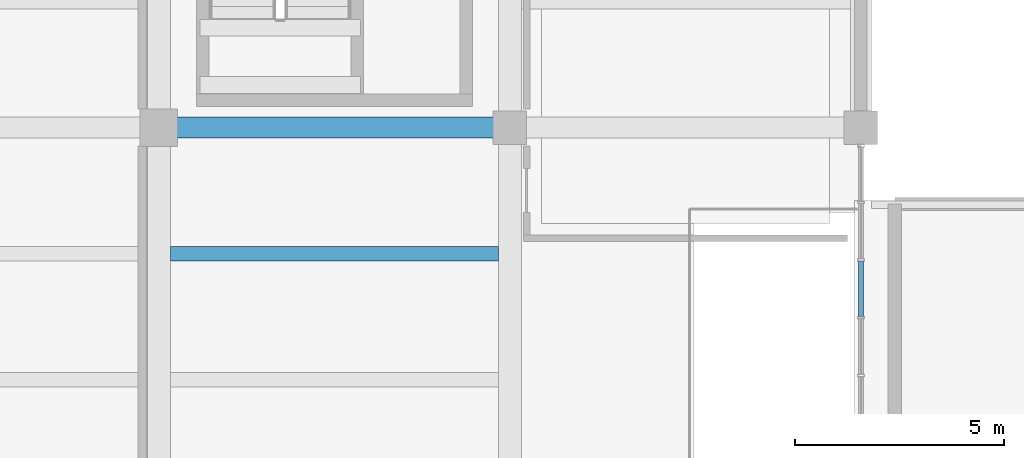
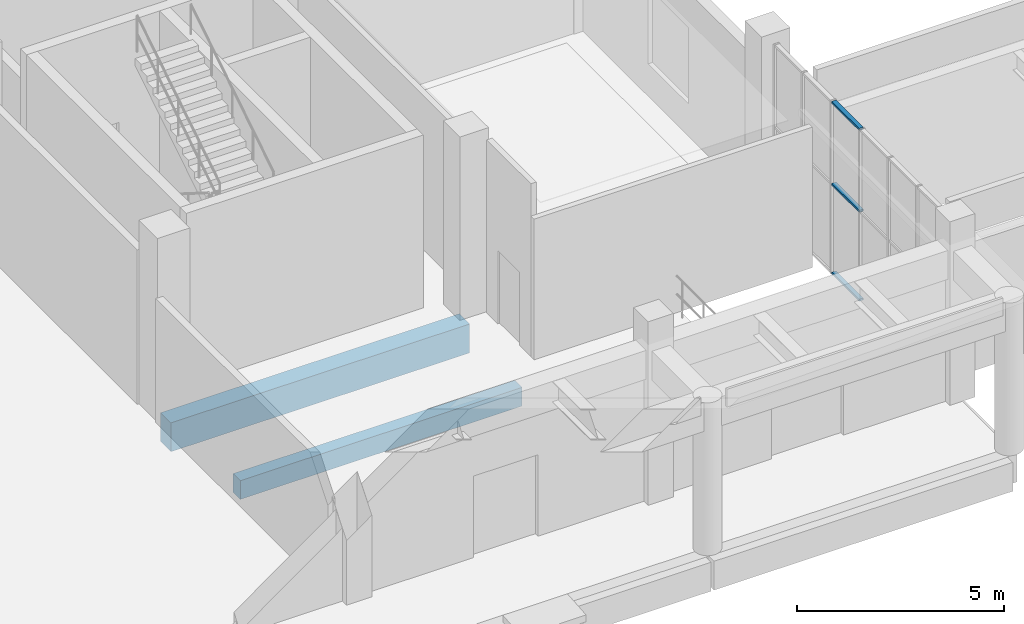
# One storey, part 23 of 91: 3 members, 2 beams, 1 element without a shape of its own.
"""IFC4 building model written with IfcOpenShell, lengths in metres."""

from ifc_helpers import new_model, si_unit, direction, frame, origin, origin_2d, place, context, subcontext, project, spatial, rectangle, hollow_rectangle, extrude, material, material_profile, profile_set, type_object, element, aggregate, save


model = new_model("IFC4")

# Units and contexts
model_context = context("Model", 3, precision=1e-05, world=origin(), true_north=direction((0.0, 1.0)))
body_context = subcontext(model_context, "Body", "Model", "MODEL_VIEW")
ifc_project = project(units=[si_unit("LENGTHUNIT", "METRE"), si_unit("AREAUNIT", "SQUARE_METRE"), si_unit("VOLUMEUNIT", "CUBIC_METRE"), si_unit("PLANEANGLEUNIT", "RADIAN"), si_unit("MASSUNIT", "GRAM", prefix="KILO")], contexts=[model_context])

# Site, building, storey
site_placement = place(None, origin())
site = spatial("IfcSite", under=ifc_project, at=site_placement, CompositionType="ELEMENT")
building_placement = place(site_placement, origin())
building = spatial("IfcBuilding", under=site, at=building_placement, Name="Khurvash Pelagic Aquarium", CompositionType="ELEMENT")
storey_placement = place(building_placement, origin())
storey = spatial("IfcBuildingStorey", under=building, at=storey_placement, Name="L00", CompositionType="ELEMENT", Elevation=0.0)

# Beam
ifc_material_1 = material(Name="Concrete C40/50", Category="concrete")
ifc_material_profile_1 = material_profile(ifc_material_1, rectangle(XDim=0.5, YDim=0.85009765625, at=origin_2d()), Name="RC500X850")
ifc_profile_set_1 = profile_set([ifc_material_profile_1], Name="Concrete C40/50")
beam_type_1 = type_object("IfcBeamType", Name="BM-03", PredefinedType="BEAM", material=ifc_profile_set_1)
beam_1_placement = place(storey_placement, frame((92.43994140625, 11.64990234375, -0.7451171875), z_axis=(1.0, 0.0, 0.0), x_axis=(0.0, 1.0, 0.0)))
element("IfcBeam", 1, at=beam_1_placement, inside=storey, type_object=beam_type_1, Name="L00 Primary Girder BM-03 00019", PredefinedType="BEAM", context=body_context, shape_type="SweptSolid", body=[
    extrude(rectangle(XDim=0.5, YDim=0.85009765625, at=origin_2d()), origin(), (0.0, 0.0, 1.0), 8.320068359375),
])

# Curtain wall, members
ifc_material_2 = material(Name="Anodised aluminium and low-E laminated glass", Category="aluminium")
curtain_wall_type = type_object("IfcCurtainWallType", Name="CW-05", PredefinedType="USERDEFINED", material=ifc_material_2)
curtain_wall_placement = place(storey_placement, origin())
curtain_wall = element("IfcCurtainWall", 2, at=curtain_wall_placement, inside=storey, type_object=curtain_wall_type, Name="L00 Facade Unitised Curtain Wall CW-05 0059", ObjectType="UNITISED CURTAIN WALL", PredefinedType="USERDEFINED")
ifc_material_3 = material(Name="Extruded aluminium AW-6063-T6", Category="aluminium")
ifc_material_profile_2 = material_profile(ifc_material_3, hollow_rectangle(XDim=0.1201171875, YDim=0.06005859375, WallThickness=0.00390625, at=origin_2d()), Name="CWT120X60X4")
ifc_profile_set_2 = profile_set([ifc_material_profile_2], Name="Extruded aluminium AW-6063-T6")
member_type = type_object("IfcMemberType", Name="CT-02", PredefinedType="USERDEFINED", material=ifc_profile_set_2)
member_1_placement = place(storey_placement, frame((109.199951171875, 7.1298828125, 0.030029296875), z_axis=(0.0, 1.0, 0.0), x_axis=(-1.0, 0.0, 0.0)))
member_1 = element("IfcMember", 3, at=member_1_placement, type_object=member_type, Name="CW-05 transom 4.1", ObjectType="TRANSOM", PredefinedType="USERDEFINED", context=body_context, shape_type="SweptSolid", body=[
    extrude(hollow_rectangle(XDim=0.1201171875, YDim=0.06005859375, WallThickness=0.00390625, at=origin_2d()), origin(), (0.0, 0.0, 1.0), 1.32177734375),
])
member_2_placement = place(storey_placement, frame((109.199951171875, 7.1298828125, 2.64697265625), z_axis=(0.0, 1.0, 0.0), x_axis=(-1.0, 0.0, 0.0)))
member_2 = element("IfcMember", 4, at=member_2_placement, type_object=member_type, Name="CW-05 transom 4.2", ObjectType="TRANSOM", PredefinedType="USERDEFINED", context=body_context, shape_type="SweptSolid", body=[
    extrude(hollow_rectangle(XDim=0.1201171875, YDim=0.06005859375, WallThickness=0.00390625, at=origin_2d()), origin(), (0.0, 0.0, 1.0), 1.32177734375),
])
member_3_placement = place(storey_placement, frame((109.199951171875, 7.1298828125, 5.06005859375), z_axis=(0.0, 1.0, 0.0), x_axis=(-1.0, 0.0, 0.0)))
member_3 = element("IfcMember", 5, at=member_3_placement, type_object=member_type, Name="CW-05 transom 4.3", ObjectType="TRANSOM", PredefinedType="USERDEFINED", context=body_context, shape_type="SweptSolid", body=[
    extrude(hollow_rectangle(XDim=0.1201171875, YDim=0.06005859375, WallThickness=0.00390625, at=origin_2d()), origin(), (0.0, 0.0, 1.0), 1.32177734375),
])
aggregate(curtain_wall, [member_1, member_2, member_3])

# Beam
ifc_material_4 = material(Name="Concrete C35/45", Category="concrete")
ifc_material_profile_3 = material_profile(ifc_material_4, rectangle(XDim=0.35009765625, YDim=0.550048828125, at=origin_2d()), Name="RC350X550")
ifc_profile_set_3 = profile_set([ifc_material_profile_3], Name="Concrete C35/45")
beam_type_2 = type_object("IfcBeamType", Name="JS-01", PredefinedType="JOIST", material=ifc_profile_set_3)
beam_2_placement = place(storey_placement, frame((92.675048828125, 8.633056640625, -0.594970703125), z_axis=(1.0, 0.0, 0.0), x_axis=(0.0, 1.0, 0.0)))
element("IfcBeam", 6, at=beam_2_placement, inside=storey, type_object=beam_type_2, Name="L00 Floor Joist JS-01 00220", PredefinedType="JOIST", context=body_context, shape_type="SweptSolid", body=[
    extrude(rectangle(XDim=0.35009765625, YDim=0.550048828125, at=origin_2d()), origin(), (0.0, 0.0, 1.0), 7.849853515625),
])

save(model, "model.ifc")
